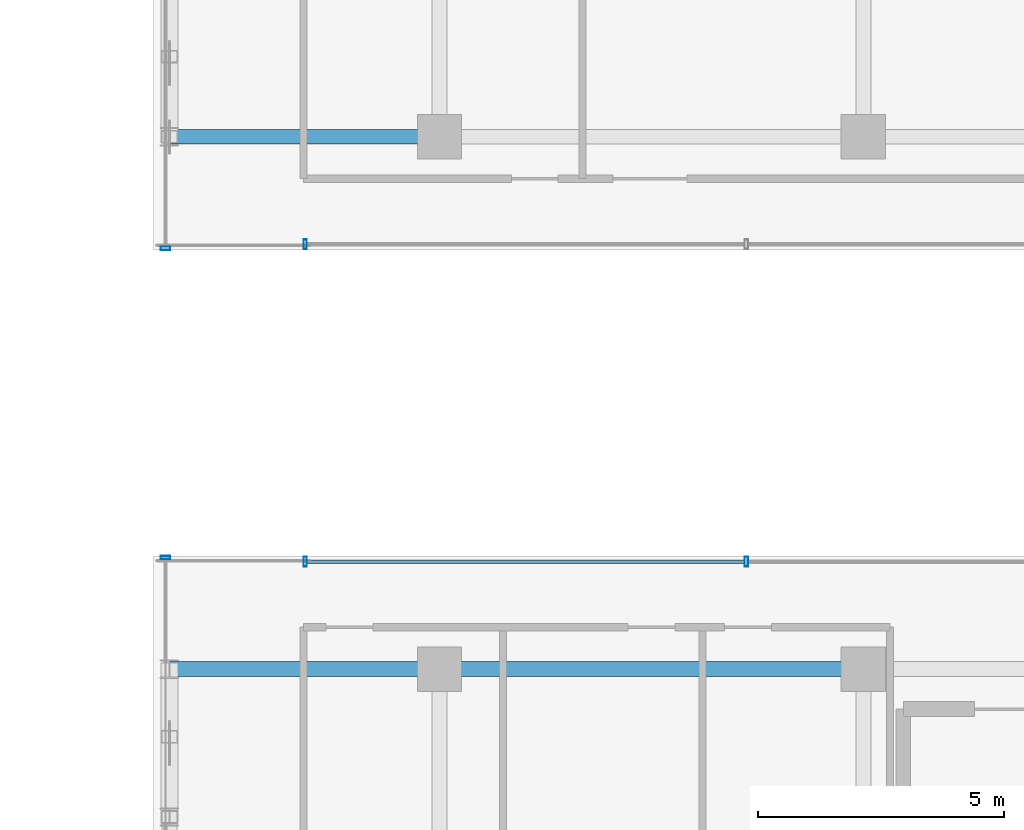
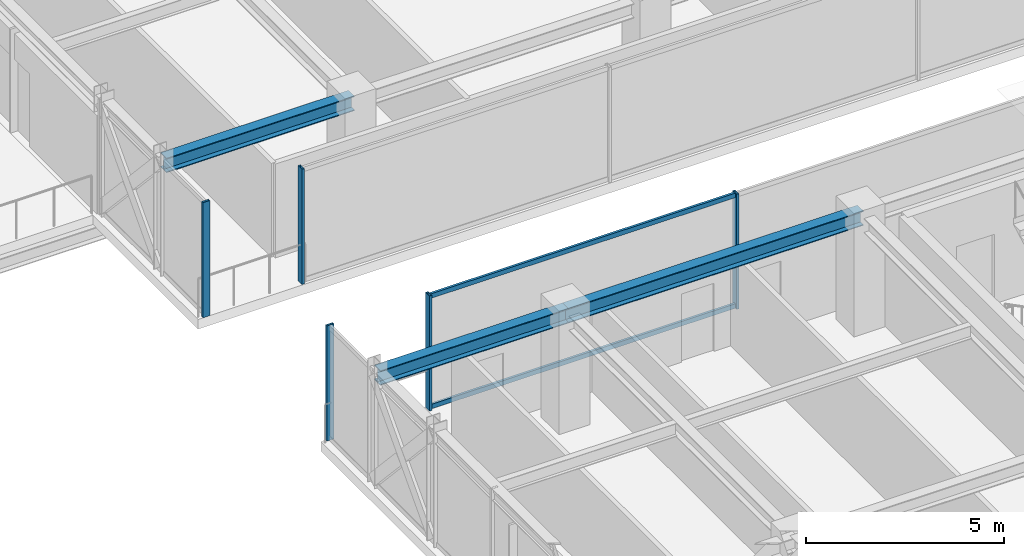
# One storey, part 10 of 41: 7 members, 3 beams, 4 elements without a shape of their own.
"""IFC4 building model written with IfcOpenShell, lengths in metres."""

from ifc_helpers import new_model, si_unit, direction, frame, origin, origin_2d, place, context, subcontext, project, spatial, hollow_rectangle, i_section, extrude, source, transform, mapped, material, material_profile, profile_set, type_object, element, aggregate, save


model = new_model("IFC4")

# Units and contexts
model_context = context("Model", 3, precision=1e-05, world=origin(), true_north=direction((0.0, 1.0)))
body_context = subcontext(model_context, "Body", "Model", "MODEL_VIEW")
ifc_project = project(units=[si_unit("LENGTHUNIT", "METRE"), si_unit("AREAUNIT", "SQUARE_METRE"), si_unit("VOLUMEUNIT", "CUBIC_METRE"), si_unit("PLANEANGLEUNIT", "RADIAN"), si_unit("MASSUNIT", "GRAM", prefix="KILO")], contexts=[model_context])

# Site, building, storey
site_placement = place(None, origin())
site = spatial("IfcSite", under=ifc_project, at=site_placement, CompositionType="ELEMENT")
building_placement = place(site_placement, origin())
building = spatial("IfcBuilding", under=site, at=building_placement, Name="Nahalor Promenade Grand Hotel", CompositionType="ELEMENT")
storey_placement = place(building_placement, frame((0.0, 0.0, 304.199951171875)))
storey = spatial("IfcBuildingStorey", under=building, at=storey_placement, Name="L78", CompositionType="ELEMENT", Elevation=304.199951171875)

# Beams
ifc_material_1 = material(Name="Steel S355JR", Category="steel")
ifc_material_profile_1 = material_profile(ifc_material_1, i_section(OverallWidth=0.3, OverallDepth=0.45, WebThickness=0.014, FlangeThickness=0.026, at=origin_2d()), Name="HEB 450")
ifc_profile_set_1 = profile_set([ifc_material_profile_1], Name="Steel S355JR")
beam_type = type_object("IfcBeamType", Name="Beam-Girder-HEB450", PredefinedType="BEAM", material=ifc_profile_set_1)
shared_shape_1 = source(origin(), body_context, "Body", "SweptSolid", [
    extrude(i_section(OverallWidth=0.3, OverallDepth=0.45, WebThickness=0.014, FlangeThickness=0.026, at=origin_2d()), origin(), (0.0, 0.0, 1.0), 8.60009765625),
])
beam_placement = place(storey_placement, frame((-17.0, -5.39990234375, 3.324951171875), z_axis=(1.0, 0.0, 0.0), x_axis=(0.0, 1.0, 0.0)))
element("IfcBeam", 1, at=beam_placement, inside=storey, type_object=beam_type, Name="BM-L78-GX-1-1", PredefinedType="BEAM", context=body_context, shape_type="MappedRepresentation", body=[
    mapped(shared_shape_1, transform((0.0, 0.0, 0.0), scale=1.0)),
])
shared_shape_2 = source(origin(), body_context, "Body", "SweptSolid", [
    extrude(i_section(OverallWidth=0.3, OverallDepth=0.45, WebThickness=0.014, FlangeThickness=0.026, at=origin_2d()), origin(), (0.0, 0.0, 1.0), 5.47998046875),
])
for number, where, z_axis, x_axis, name in (
    (2, (-22.47998046875, -5.39990234375, 3.324951171875), (1.0, 0.0, 0.0), (0.0, 1.0, 0.0), "BM-L78-GX-1-0"),
    (3, (-22.47998046875, 5.39990234375, 3.324951171875), (1.0, 0.0, 0.0), (0.0, 1.0, 0.0), "BM-L78-GX-2-0"),
):
    element("IfcBeam", number, at=place(storey_placement, frame(where, z_axis=z_axis, x_axis=x_axis)), inside=storey, type_object=beam_type, Name=name, PredefinedType="BEAM", context=body_context, shape_type="MappedRepresentation", body=[
        mapped(shared_shape_2, transform((0.0, 0.0, 0.0), scale=1.0)),
    ])

# Curtain wall, members
ifc_material_2 = material(Name="Anodised Bronze Aluminium EN AW-6063 T6", Category="aluminium")
curtain_wall_type = type_object("IfcCurtainWallType", Name="CW3 Elliptical-Void Collar Unitised Curtain Wall", PredefinedType="USERDEFINED", material=ifc_material_2)
curtain_wall_1_placement = place(storey_placement, origin())
curtain_wall_1 = element("IfcCurtainWall", 4, at=curtain_wall_1_placement, inside=storey, type_object=curtain_wall_type, Name="L78 Curtain Wall CW-L78-VOID-WS1", ObjectType="UNITISED_CURTAIN_WALL", PredefinedType="USERDEFINED")
ifc_material_profile_2 = material_profile(ifc_material_2, hollow_rectangle(XDim=0.07, YDim=0.14, WallThickness=0.004, at=origin_2d()), Name="CWT 70x140x4")
ifc_profile_set_2 = profile_set([ifc_material_profile_2], Name="Anodised Bronze Aluminium EN AW-6063 T6")
member_type_1 = type_object("IfcMemberType", Name="CWT3 Void Collar Transom 70x140", PredefinedType="USERDEFINED", material=ifc_profile_set_2)
shared_shape_3 = source(origin(), body_context, "Body", "SweptSolid", [
    extrude(hollow_rectangle(XDim=0.07, YDim=0.14, WallThickness=0.004, at=origin_2d()), origin(), (0.0, 0.0, 1.0), 8.881591796875),
])
member_1_placement = place(storey_placement, frame((-19.68994140625, -3.219970703125, 0.070068359375), z_axis=(1.0, 0.0, 0.0), x_axis=(0.0, 1.0, 0.0)))
member_1 = element("IfcMember", 5, at=member_1_placement, type_object=member_type_1, Name="CW-L78-VOID-WS1 Transom 0-0", ObjectType="TRANSOM", PredefinedType="USERDEFINED", context=body_context, shape_type="MappedRepresentation", body=[
    mapped(shared_shape_3, transform((0.0, 0.0, 0.0), scale=1.0)),
])
member_2_placement = place(storey_placement, frame((-19.68994140625, -3.219970703125, 3.47998046875), z_axis=(1.0, 0.0, 0.0), x_axis=(0.0, 1.0, 0.0)))
member_2 = element("IfcMember", 6, at=member_2_placement, type_object=member_type_1, Name="CW-L78-VOID-WS1 Transom 0-1", ObjectType="TRANSOM", PredefinedType="USERDEFINED", context=body_context, shape_type="MappedRepresentation", body=[
    mapped(shared_shape_3, transform((0.0, 0.0, 0.0), scale=1.0)),
])

# Curtain wall, member
curtain_wall_2_placement = place(storey_placement, origin())
curtain_wall_2 = element("IfcCurtainWall", 7, at=curtain_wall_2_placement, inside=storey, type_object=curtain_wall_type, Name="L78 Curtain Wall CW-L78-W-1", ObjectType="UNITISED_CURTAIN_WALL", PredefinedType="USERDEFINED")
ifc_material_profile_3 = material_profile(ifc_material_2, hollow_rectangle(XDim=0.07, YDim=0.2, WallThickness=0.005, at=origin_2d()), Name="CWM 70x200x5")
ifc_profile_set_3 = profile_set([ifc_material_profile_3], Name="Anodised Bronze Aluminium EN AW-6063 T6")
member_type_2 = type_object("IfcMemberType", Name="CWM3 Void Collar Mullion 70x200", PredefinedType="MULLION", material=ifc_profile_set_3)
shared_shape_4 = source(origin(), body_context, "Body", "SweptSolid", [
    extrude(hollow_rectangle(XDim=0.07, YDim=0.2, WallThickness=0.005, at=origin_2d()), origin(), (0.0, 0.0, 1.0), 3.550048828125),
])
member_3_placement = place(storey_placement, frame((-22.56005859375, -3.135009765625, 0.0), z_axis=(0.0, 0.0, 1.0), x_axis=(0.0, 1.0, 0.0)))
member_3 = element("IfcMember", 8, at=member_3_placement, type_object=member_type_2, Name="CW-L78-W-1 Mullion 2", PredefinedType="MULLION", context=body_context, shape_type="MappedRepresentation", body=[
    mapped(shared_shape_4, transform((0.0, 0.0, 0.0), scale=1.0)),
])
aggregate(curtain_wall_2, [member_3])

curtain_wall_3_placement = place(storey_placement, origin())
curtain_wall_3 = element("IfcCurtainWall", 9, at=curtain_wall_3_placement, inside=storey, type_object=curtain_wall_type, Name="L78 Curtain Wall CW-L78-W-2", ObjectType="UNITISED_CURTAIN_WALL", PredefinedType="USERDEFINED")
member_4_placement = place(storey_placement, frame((-22.56005859375, 3.135009765625, 0.0), z_axis=(0.0, 0.0, 1.0), x_axis=(0.0, 1.0, 0.0)))
member_4 = element("IfcMember", 10, at=member_4_placement, type_object=member_type_2, Name="CW-L78-W-2 Mullion 0", PredefinedType="MULLION", context=body_context, shape_type="MappedRepresentation", body=[
    mapped(shared_shape_4, transform((0.0, 0.0, 0.0), scale=1.0)),
])
aggregate(curtain_wall_3, [member_4])

# Member
member_5_placement = place(storey_placement, frame((-19.72509765625, -3.219970703125, 0.0), z_axis=(0.0, 0.0, 1.0), x_axis=(1.0, 0.0, 0.0)))
member_5 = element("IfcMember", 11, at=member_5_placement, type_object=member_type_2, Name="CW-L78-VOID-WS1 Mullion 0", PredefinedType="MULLION", context=body_context, shape_type="MappedRepresentation", body=[
    mapped(shared_shape_4, transform((0.0, 0.0, 0.0), scale=1.0)),
])

member_6_placement = place(storey_placement, frame((-10.7734375, -3.219970703125, 0.0), z_axis=(0.0, 0.0, 1.0), x_axis=(1.0, 0.0, 0.0)))
member_6 = element("IfcMember", 12, at=member_6_placement, type_object=member_type_2, Name="CW-L78-VOID-WS1 Mullion 1", PredefinedType="MULLION", context=body_context, shape_type="MappedRepresentation", body=[
    mapped(shared_shape_4, transform((0.0, 0.0, 0.0), scale=1.0)),
])

aggregate(curtain_wall_1, [member_5, member_6, member_1, member_2])

# Curtain wall, member
curtain_wall_4_placement = place(storey_placement, origin())
curtain_wall_4 = element("IfcCurtainWall", 13, at=curtain_wall_4_placement, inside=storey, type_object=curtain_wall_type, Name="L78 Curtain Wall CW-L78-VOID-WN1", ObjectType="UNITISED_CURTAIN_WALL", PredefinedType="USERDEFINED")
member_7_placement = place(storey_placement, frame((-19.72509765625, 3.219970703125, 0.0), z_axis=(0.0, 0.0, 1.0), x_axis=(1.0, 0.0, 0.0)))
member_7 = element("IfcMember", 14, at=member_7_placement, type_object=member_type_2, Name="CW-L78-VOID-WN1 Mullion 0", PredefinedType="MULLION", context=body_context, shape_type="MappedRepresentation", body=[
    mapped(shared_shape_4, transform((0.0, 0.0, 0.0), scale=1.0)),
])
aggregate(curtain_wall_4, [member_7])

save(model, "model.ifc")
